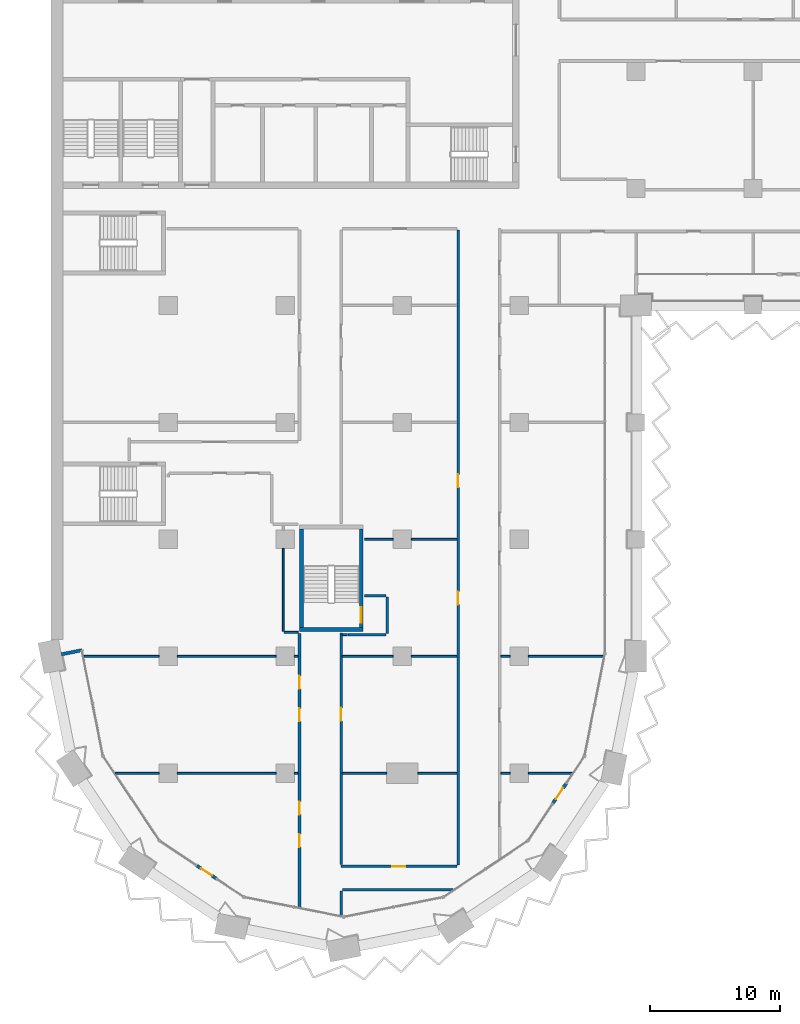
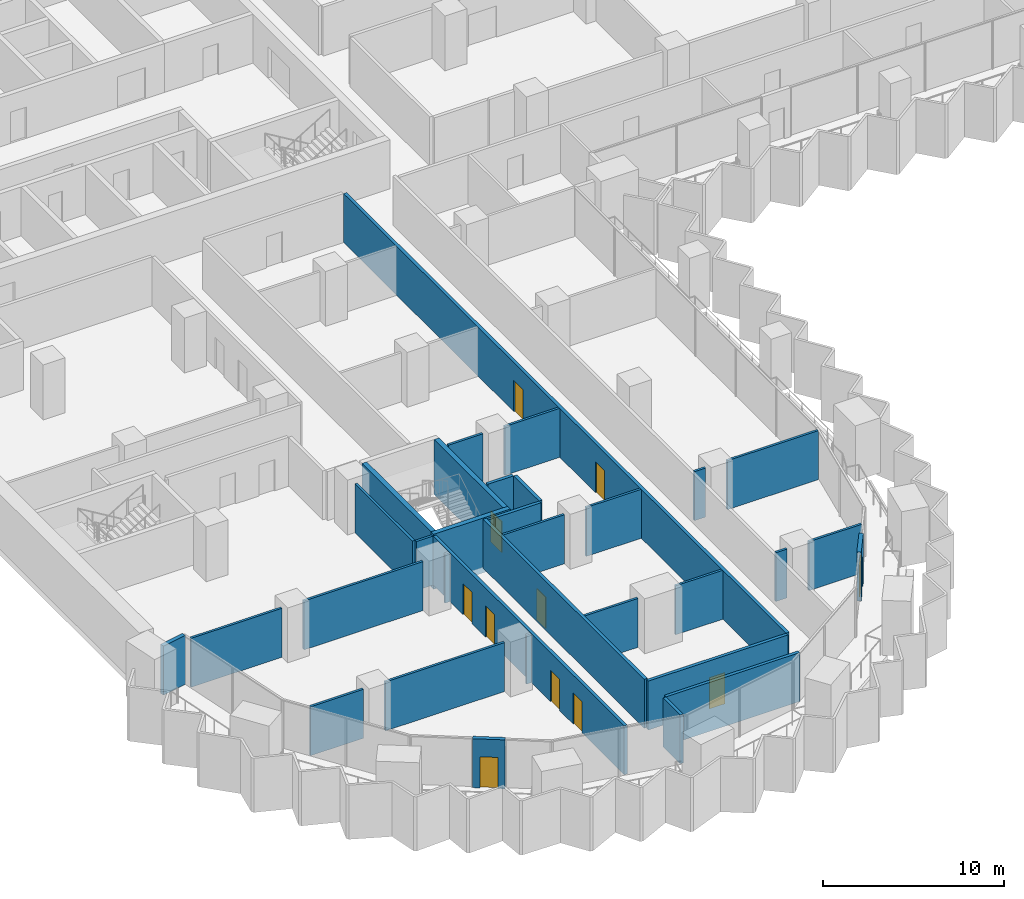
# One storey, part 10 of 29: 34 walls, 11 doors, 11 openings.
"""IFC4 building model written with IfcOpenShell, lengths in metres."""

from ifc_helpers import new_model, si_unit, direction, frame, frame_2d, origin, place, context, subcontext, project, spatial, rectangle, extrude, material, layer, layer_set, type_object, element, fill, save


model = new_model("IFC4")

# Units and contexts
model_context = context("Model", 3, precision=1e-05, world=origin(), true_north=direction((0.0, 1.0)))
body_context = subcontext(model_context, "Body", "Model", "MODEL_VIEW")
ifc_project = project(units=[si_unit("LENGTHUNIT", "METRE"), si_unit("AREAUNIT", "SQUARE_METRE"), si_unit("VOLUMEUNIT", "CUBIC_METRE"), si_unit("PLANEANGLEUNIT", "RADIAN"), si_unit("MASSUNIT", "GRAM", prefix="KILO")], contexts=[model_context])

# Site, building, storey
site_placement = place(None, origin())
site = spatial("IfcSite", under=ifc_project, at=site_placement, CompositionType="ELEMENT")
building_placement = place(site_placement, origin())
building = spatial("IfcBuilding", under=site, at=building_placement, Name="Hunhe Ridgeline Campus", CompositionType="ELEMENT")
storey_placement = place(building_placement, frame((0.0, 0.0, 50.60009765625)))
storey = spatial("IfcBuildingStorey", under=building, at=storey_placement, Name="L11", CompositionType="ELEMENT", Elevation=50.60009765625)

# Walls
ifc_material_1 = material(Name="Concrete C30", Category="concrete")
ifc_layer_1 = layer(ifc_material_1, 0.25)
ifc_layer_set_1 = layer_set([ifc_layer_1], Name="Corner return wall 250 Concrete C30")
wall_type_1 = type_object("IfcWallType", Name="Corner return wall 250 Concrete C30", PredefinedType="SOLIDWALL", material=ifc_layer_set_1)
wall_1_placement = place(storey_placement, frame((0.784423828125, 27.15673828125, 0.0), z_axis=(0.0, 0.0, 1.0), x_axis=(0.980826234823, 0.19488431718, 0.0)))
element("IfcWall", 1, at=wall_1_placement, inside=storey, type_object=wall_type_1, Name="Corner return wall 1", PredefinedType="SOLIDWALL", context=body_context, shape_type="SweptSolid", body=[
    extrude(rectangle(XDim=1.60107421875, YDim=0.25, at=frame_2d((0.800537109375, 0.0))), origin(), (0.0, 0.0, 1.0), 3.2998046875),
])
ifc_material_2 = material(Name="Gypsum board partition")
ifc_layer_2 = layer(ifc_material_2, 0.199951171875)
ifc_layer_set_2 = layer_set([ifc_layer_2], Name="Corridor partition 200 gypsum board on steel studs")
wall_type_2 = type_object("IfcWallType", Name="Corridor partition 200 gypsum board on steel studs", PredefinedType="PARTITIONING", material=ifc_layer_set_2)
wall_2_placement = place(storey_placement, frame((30.921142578125, 9.0390625, 0.0), z_axis=(0.0, 0.0, 1.0), x_axis=(-1.0, 0.0, 0.0)))
element("IfcWall", 2, at=wall_2_placement, inside=storey, type_object=wall_type_2, Name="F-L11-wall-001", PredefinedType="PARTITIONING", context=body_context, shape_type="SweptSolid", body=[
    extrude(rectangle(XDim=8.521240234375, YDim=0.199951171875, at=frame_2d((4.2607421875, 0.0))), origin(), (0.0, 0.0, 1.0), 3.2998046875),
])

# Wall, opening, door
wall_3_placement = place(storey_placement, frame((22.300048828125, 10.839111328125, 0.0), z_axis=(0.0, 0.0, 1.0), x_axis=(1.0, 0.0, 0.0)))
wall_3 = element("IfcWall", 3, at=wall_3_placement, inside=storey, type_object=wall_type_2, Name="F-L11-wall-002", PredefinedType="PARTITIONING", context=body_context, shape_type="SweptSolid", body=[
    extrude(rectangle(XDim=8.89990234375, YDim=0.199951171875, at=frame_2d((4.449951171875, 0.0))), origin(), (0.0, 0.0, 1.0), 3.2998046875),
])
opening_1_placement = place(wall_3_placement, frame((3.949951171875, 0.0, 0.0)))
opening_1 = element("IfcOpeningElement", 4, at=opening_1_placement, cuts=wall_3, Name="Opening RD1-001", PredefinedType="OPENING", context=body_context, shape_type="SweptSolid", body=[
    extrude(rectangle(XDim=1.0, YDim=2.10009765625, at=frame_2d((0.5, 1.050048828125))), frame((0.0, 0.10009765625, 0.0), z_axis=(0.0, -1.0, 0.0), x_axis=(1.0, 0.0, 0.0)), (0.0, 0.0, 1.0), 0.199951171875),
])
ifc_material_3 = material(Name="Timber door leaf", Category="wood")
door_type_1 = type_object("IfcDoorType", Name="Single fire door 1000x2100 timber FD60", OperationType="NOTDEFINED", PredefinedType="DOOR", material=ifc_material_3)
door_1_placement = place(opening_1_placement, origin())
door_1 = element("IfcDoor", 5, at=door_1_placement, inside=storey, type_object=door_type_1, Name="F-L11-door-001", OperationType="SINGLE_SWING_RIGHT", OverallHeight=2.10009765625, OverallWidth=1.0, PredefinedType="DOOR", context=body_context, shape_type="SweptSolid", body=[
    extrude(rectangle(XDim=1.0, YDim=2.10009765625, at=frame_2d((0.5, 1.050048828125))), frame((0.0, 0.02490234375, 0.0), z_axis=(0.0, -1.0, 0.0), x_axis=(1.0, 0.0, 0.0)), (0.0, 0.0, 1.0), 0.050048828125),
])
fill(opening_1, door_1)

# Walls
wall_4_placement = place(storey_placement, frame((25.75, 28.675048828125, 0.0), z_axis=(0.0, 0.0, 1.0), x_axis=(-1.0, 0.0, 0.0)))
element("IfcWall", 6, at=wall_4_placement, inside=storey, type_object=wall_type_2, Name="F-L11-wall-017", PredefinedType="PARTITIONING", context=body_context, shape_type="SweptSolid", body=[
    extrude(rectangle(XDim=2.89990234375, YDim=0.199951171875, at=frame_2d((1.449951171875, 0.0))), origin(), (0.0, 0.0, 1.0), 3.2998046875),
])
wall_5_placement = place(storey_placement, frame((24.10400390625, 31.675048828125, 0.0), z_axis=(0.0, 0.0, 1.0), x_axis=(1.0, 0.0, 0.0)))
element("IfcWall", 7, at=wall_5_placement, inside=storey, type_object=wall_type_2, Name="F-L11-wall-020", PredefinedType="PARTITIONING", context=body_context, shape_type="SweptSolid", body=[
    extrude(rectangle(XDim=1.64599609375, YDim=0.199951171875, at=frame_2d((0.822998046875, 0.0))), origin(), (0.0, 0.0, 1.0), 3.2998046875),
])

# Wall, openings, doors
wall_6_placement = place(storey_placement, frame((19.10009765625, 7.679443359375, 0.0), z_axis=(0.0, 0.0, 1.0), x_axis=(0.0, 1.0, 0.0)))
wall_6 = element("IfcWall", 8, at=wall_6_placement, inside=storey, type_object=wall_type_2, Name="F-L11-wall-060", PredefinedType="PARTITIONING", context=body_context, shape_type="SweptSolid", body=[
    extrude(rectangle(XDim=21.095458984375, YDim=0.199951171875, at=frame_2d((10.5478515625, 0.0))), origin(), (0.0, 0.0, 1.0), 3.2998046875),
])
opening_2_placement = place(wall_6_placement, frame((4.648193359375, 0.0, 0.0)))
opening_2 = element("IfcOpeningElement", 9, at=opening_2_placement, cuts=wall_6, Name="Opening RD1-002", PredefinedType="OPENING", context=body_context, shape_type="SweptSolid", body=[
    extrude(rectangle(XDim=1.0, YDim=2.10009765625, at=frame_2d((0.5, 1.050048828125))), frame((0.0, 0.10009765625, 0.0), z_axis=(0.0, -1.0, 0.0), x_axis=(1.0, 0.0, 0.0)), (0.0, 0.0, 1.0), 0.199951171875),
])
opening_3_placement = place(wall_6_placement, frame((7.148193359375, 0.0, 0.0)))
opening_3 = element("IfcOpeningElement", 10, at=opening_3_placement, cuts=wall_6, Name="Opening RD1-004", PredefinedType="OPENING", context=body_context, shape_type="SweptSolid", body=[
    extrude(rectangle(XDim=1.0, YDim=2.10009765625, at=frame_2d((0.5, 1.050048828125))), frame((0.0, 0.10009765625, 0.0), z_axis=(0.0, -1.0, 0.0), x_axis=(1.0, 0.0, 0.0)), (0.0, 0.0, 1.0), 0.199951171875),
])
opening_4_placement = place(wall_6_placement, frame((14.317138671875, 0.0, 0.0)))
opening_4 = element("IfcOpeningElement", 11, at=opening_4_placement, cuts=wall_6, Name="Opening RD1-005", PredefinedType="OPENING", context=body_context, shape_type="SweptSolid", body=[
    extrude(rectangle(XDim=1.0, YDim=2.10009765625, at=frame_2d((0.5, 1.050048828125))), frame((0.0, 0.10009765625, 0.0), z_axis=(0.0, -1.0, 0.0), x_axis=(1.0, 0.0, 0.0)), (0.0, 0.0, 1.0), 0.199951171875),
])
opening_5_placement = place(wall_6_placement, frame((16.817138671875, 0.0, 0.0)))
opening_5 = element("IfcOpeningElement", 12, at=opening_5_placement, cuts=wall_6, Name="Opening RD1-008", PredefinedType="OPENING", context=body_context, shape_type="SweptSolid", body=[
    extrude(rectangle(XDim=1.0, YDim=2.10009765625, at=frame_2d((0.5, 1.050048828125))), frame((0.0, 0.10009765625, 0.0), z_axis=(0.0, -1.0, 0.0), x_axis=(1.0, 0.0, 0.0)), (0.0, 0.0, 1.0), 0.199951171875),
])
door_2_placement = place(opening_2_placement, frame((1.0, 0.0, 0.0), z_axis=(0.0, 0.0, 1.0), x_axis=(-1.0, 0.0, 0.0)))
door_2 = element("IfcDoor", 13, at=door_2_placement, inside=storey, type_object=door_type_1, Name="F-L11-door-002", OperationType="SINGLE_SWING_LEFT", OverallHeight=2.10009765625, OverallWidth=1.0, PredefinedType="DOOR", context=body_context, shape_type="SweptSolid", body=[
    extrude(rectangle(XDim=1.0, YDim=2.10009765625, at=frame_2d((0.5, 1.050048828125))), frame((0.0, 0.02490234375, 0.0), z_axis=(0.0, -1.0, 0.0), x_axis=(1.0, 0.0, 0.0)), (0.0, 0.0, 1.0), 0.050048828125),
])
fill(opening_2, door_2)
door_3_placement = place(opening_3_placement, frame((1.0, 0.0, 0.0), z_axis=(0.0, 0.0, 1.0), x_axis=(-1.0, 0.0, 0.0)))
door_3 = element("IfcDoor", 14, at=door_3_placement, inside=storey, type_object=door_type_1, Name="F-L11-door-004", OperationType="SINGLE_SWING_LEFT", OverallHeight=2.10009765625, OverallWidth=1.0, PredefinedType="DOOR", context=body_context, shape_type="SweptSolid", body=[
    extrude(rectangle(XDim=1.0, YDim=2.10009765625, at=frame_2d((0.5, 1.050048828125))), frame((0.0, 0.02490234375, 0.0), z_axis=(0.0, -1.0, 0.0), x_axis=(1.0, 0.0, 0.0)), (0.0, 0.0, 1.0), 0.050048828125),
])
fill(opening_3, door_3)
door_4_placement = place(opening_4_placement, frame((1.0, 0.0, 0.0), z_axis=(0.0, 0.0, 1.0), x_axis=(-1.0, 0.0, 0.0)))
door_4 = element("IfcDoor", 15, at=door_4_placement, inside=storey, type_object=door_type_1, Name="F-L11-door-005", OperationType="SINGLE_SWING_LEFT", OverallHeight=2.10009765625, OverallWidth=1.0, PredefinedType="DOOR", context=body_context, shape_type="SweptSolid", body=[
    extrude(rectangle(XDim=1.0, YDim=2.10009765625, at=frame_2d((0.5, 1.050048828125))), frame((0.0, 0.02490234375, 0.0), z_axis=(0.0, -1.0, 0.0), x_axis=(1.0, 0.0, 0.0)), (0.0, 0.0, 1.0), 0.050048828125),
])
fill(opening_4, door_4)
door_5_placement = place(opening_5_placement, frame((1.0, 0.0, 0.0), z_axis=(0.0, 0.0, 1.0), x_axis=(-1.0, 0.0, 0.0)))
door_5 = element("IfcDoor", 16, at=door_5_placement, inside=storey, type_object=door_type_1, Name="F-L11-door-008", OperationType="SINGLE_SWING_LEFT", OverallHeight=2.10009765625, OverallWidth=1.0, PredefinedType="DOOR", context=body_context, shape_type="SweptSolid", body=[
    extrude(rectangle(XDim=1.0, YDim=2.10009765625, at=frame_2d((0.5, 1.050048828125))), frame((0.0, 0.02490234375, 0.0), z_axis=(0.0, -1.0, 0.0), x_axis=(1.0, 0.0, 0.0)), (0.0, 0.0, 1.0), 0.050048828125),
])
fill(opening_5, door_5)

# Wall
wall_7_placement = place(storey_placement, frame((22.300048828125, 8.93896484375, 0.0), z_axis=(0.0, 0.0, 1.0), x_axis=(0.0, -1.0, 0.0)))
element("IfcWall", 17, at=wall_7_placement, inside=storey, type_object=wall_type_2, Name="F-L11-wall-062", PredefinedType="PARTITIONING", context=body_context, shape_type="SweptSolid", body=[
    extrude(rectangle(XDim=1.89599609375, YDim=0.199951171875, at=frame_2d((0.947998046875, 0.0))), origin(), (0.0, 0.0, 1.0), 3.2998046875),
])

# Wall, opening, door
wall_8_placement = place(storey_placement, frame((22.300048828125, 28.7958984375, 0.0), z_axis=(0.0, 0.0, 1.0), x_axis=(0.0, -1.0, 0.0)))
wall_8 = element("IfcWall", 18, at=wall_8_placement, inside=storey, type_object=wall_type_2, Name="F-L11-wall-063", PredefinedType="PARTITIONING", context=body_context, shape_type="SweptSolid", body=[
    extrude(rectangle(XDim=17.7978515625, YDim=0.199951171875, at=frame_2d((8.89892578125, 0.0))), origin(), (0.0, 0.0, 1.0), 3.2998046875),
])
opening_6_placement = place(wall_8_placement, frame((5.766845703125, 0.0, 0.0)))
opening_6 = element("IfcOpeningElement", 19, at=opening_6_placement, cuts=wall_8, Name="Opening RD1-006", PredefinedType="OPENING", context=body_context, shape_type="SweptSolid", body=[
    extrude(rectangle(XDim=1.0, YDim=2.10009765625, at=frame_2d((0.5, 1.050048828125))), frame((0.0, 0.10009765625, 0.0), z_axis=(0.0, -1.0, 0.0), x_axis=(1.0, 0.0, 0.0)), (0.0, 0.0, 1.0), 0.199951171875),
])
door_6_placement = place(opening_6_placement, origin())
door_6 = element("IfcDoor", 20, at=door_6_placement, inside=storey, type_object=door_type_1, Name="F-L11-door-006", OperationType="SINGLE_SWING_LEFT", OverallHeight=2.10009765625, OverallWidth=1.0, PredefinedType="DOOR", context=body_context, shape_type="SweptSolid", body=[
    extrude(rectangle(XDim=1.0, YDim=2.10009765625, at=frame_2d((0.5, 1.050048828125))), frame((0.0, 0.02490234375, 0.0), z_axis=(0.0, -1.0, 0.0), x_axis=(1.0, 0.0, 0.0)), (0.0, 0.0, 1.0), 0.050048828125),
])
fill(opening_6, door_6)

# Wall
wall_9_placement = place(storey_placement, frame((25.85009765625, 31.574951171875, 0.0), z_axis=(0.0, 0.0, 1.0), x_axis=(0.0, -1.0, 0.0)))
element("IfcWall", 21, at=wall_9_placement, inside=storey, type_object=wall_type_2, Name="F-L11-wall-065", PredefinedType="PARTITIONING", context=body_context, shape_type="SweptSolid", body=[
    extrude(rectangle(XDim=2.800048828125, YDim=0.199951171875, at=frame_2d((1.39990234375, 0.0))), origin(), (0.0, 0.0, 1.0), 3.2998046875),
])

# Wall, openings, doors
wall_10_placement = place(storey_placement, frame((31.300048828125, 10.93896484375, 0.0), z_axis=(0.0, 0.0, 1.0), x_axis=(0.0, 1.0, 0.0)))
wall_10 = element("IfcWall", 22, at=wall_10_placement, inside=storey, type_object=wall_type_2, Name="F-L11-wall-066", PredefinedType="PARTITIONING", context=body_context, shape_type="SweptSolid", body=[
    extrude(rectangle(XDim=48.861083984375, YDim=0.199951171875, at=frame_2d((24.4306640625, 0.0))), origin(), (0.0, 0.0, 1.0), 3.2998046875),
])
opening_7_placement = place(wall_10_placement, frame((20.046630859375, 0.0, 0.0)))
opening_7 = element("IfcOpeningElement", 23, at=opening_7_placement, cuts=wall_10, Name="Opening RD1-009", PredefinedType="OPENING", context=body_context, shape_type="SweptSolid", body=[
    extrude(rectangle(XDim=1.0, YDim=2.10009765625, at=frame_2d((0.5, 1.050048828125))), frame((0.0, 0.10009765625, 0.0), z_axis=(0.0, -1.0, 0.0), x_axis=(1.0, 0.0, 0.0)), (0.0, 0.0, 1.0), 0.199951171875),
])
opening_8_placement = place(wall_10_placement, frame((29.067138671875, 0.0, 0.0)))
opening_8 = element("IfcOpeningElement", 24, at=opening_8_placement, cuts=wall_10, Name="Opening RD1-012", PredefinedType="OPENING", context=body_context, shape_type="SweptSolid", body=[
    extrude(rectangle(XDim=1.0, YDim=2.10009765625, at=frame_2d((0.5, 1.050048828125))), frame((0.0, 0.10009765625, 0.0), z_axis=(0.0, -1.0, 0.0), x_axis=(1.0, 0.0, 0.0)), (0.0, 0.0, 1.0), 0.199951171875),
])
door_7_placement = place(opening_7_placement, origin())
door_7 = element("IfcDoor", 25, at=door_7_placement, inside=storey, type_object=door_type_1, Name="F-L11-door-009", OperationType="SINGLE_SWING_RIGHT", OverallHeight=2.10009765625, OverallWidth=1.0, PredefinedType="DOOR", context=body_context, shape_type="SweptSolid", body=[
    extrude(rectangle(XDim=1.0, YDim=2.10009765625, at=frame_2d((0.5, 1.050048828125))), frame((0.0, 0.02490234375, 0.0), z_axis=(0.0, -1.0, 0.0), x_axis=(1.0, 0.0, 0.0)), (0.0, 0.0, 1.0), 0.050048828125),
])
fill(opening_7, door_7)
door_8_placement = place(opening_8_placement, origin())
door_8 = element("IfcDoor", 26, at=door_8_placement, inside=storey, type_object=door_type_1, Name="F-L11-door-012", OperationType="SINGLE_SWING_RIGHT", OverallHeight=2.10009765625, OverallWidth=1.0, PredefinedType="DOOR", context=body_context, shape_type="SweptSolid", body=[
    extrude(rectangle(XDim=1.0, YDim=2.10009765625, at=frame_2d((0.5, 1.050048828125))), frame((0.0, 0.02490234375, 0.0), z_axis=(0.0, -1.0, 0.0), x_axis=(1.0, 0.0, 0.0)), (0.0, 0.0, 1.0), 0.050048828125),
])
fill(opening_8, door_8)

# Wall, opening, door
ifc_layer_3 = layer(ifc_material_1, 0.25)
ifc_layer_set_3 = layer_set([ifc_layer_3], Name="Loggia door pier wall 250 Concrete C30")
wall_type_3 = type_object("IfcWallType", Name="Loggia door pier wall 250 Concrete C30", PredefinedType="SOLIDWALL", material=ifc_layer_set_3)
wall_11_placement = place(storey_placement, frame((11.19970703125, 10.897705078125, 0.0), z_axis=(0.0, 0.0, 1.0), x_axis=(0.83146554274, -0.555576323502, 0.0)))
wall_11 = element("IfcWall", 27, at=wall_11_placement, inside=storey, type_object=wall_type_3, Name="Loggia door pier 1", PredefinedType="SOLIDWALL", context=body_context, shape_type="SweptSolid", body=[
    extrude(rectangle(XDim=1.800048828125, YDim=0.25, at=frame_2d((0.89990234375, 0.0))), origin(), (0.0, 0.0, 1.0), 3.2998046875),
])
opening_9_placement = place(wall_11_placement, frame((0.39990234375, 0.0, 0.0)))
opening_9 = element("IfcOpeningElement", 28, at=opening_9_placement, cuts=wall_11, Name="Opening BD102", PredefinedType="OPENING", context=body_context, shape_type="SweptSolid", body=[
    extrude(rectangle(XDim=1.0, YDim=2.10009765625, at=frame_2d((0.5, 1.050048828125))), frame((0.0, 0.125, 0.0), z_axis=(0.0, -1.0, 0.0), x_axis=(1.0, 0.0, 0.0)), (0.0, 0.0, 1.0), 0.25),
])
ifc_material_4 = material(Name="Aluminium 6063", Category="aluminium")
door_type_2 = type_object("IfcDoorType", Name="Loggia glazed door 1000x2100", OperationType="NOTDEFINED", PredefinedType="DOOR", material=ifc_material_4)
door_9_placement = place(opening_9_placement, frame((1.0, 0.0, 0.0), z_axis=(0.0, 0.0, 1.0), x_axis=(-1.0, 0.0, 0.0)))
door_9 = element("IfcDoor", 29, at=door_9_placement, inside=storey, type_object=door_type_2, Name="Loggia door BD102", OperationType="SINGLE_SWING_LEFT", OverallHeight=2.10009765625, OverallWidth=1.0, PredefinedType="DOOR", context=body_context, shape_type="SweptSolid", body=[
    extrude(rectangle(XDim=1.0, YDim=2.10009765625, at=frame_2d((0.5, 1.050048828125))), frame((0.0, 0.02490234375, 0.0), z_axis=(0.0, -1.0, 0.0), x_axis=(1.0, 0.0, 0.0)), (0.0, 0.0, 1.0), 0.050048828125),
])
fill(opening_9, door_9)

wall_12_placement = place(storey_placement, frame((38.602294921875, 15.69970703125, 0.0), z_axis=(0.0, 0.0, 1.0), x_axis=(0.555576323502, 0.83146554274, 0.0)))
wall_12 = element("IfcWall", 30, at=wall_12_placement, inside=storey, type_object=wall_type_3, Name="Loggia door pier 2", PredefinedType="SOLIDWALL", context=body_context, shape_type="SweptSolid", body=[
    extrude(rectangle(XDim=1.800048828125, YDim=0.25, at=frame_2d((0.89990234375, 0.0))), origin(), (0.0, 0.0, 1.0), 3.2998046875),
])
opening_10_placement = place(wall_12_placement, frame((0.39990234375, 0.0, 0.0)))
opening_10 = element("IfcOpeningElement", 31, at=opening_10_placement, cuts=wall_12, Name="Opening BD104", PredefinedType="OPENING", context=body_context, shape_type="SweptSolid", body=[
    extrude(rectangle(XDim=1.0, YDim=2.10009765625, at=frame_2d((0.5, 1.050048828125))), frame((0.0, 0.125, 0.0), z_axis=(0.0, -1.0, 0.0), x_axis=(1.0, 0.0, 0.0)), (0.0, 0.0, 1.0), 0.25),
])
door_10_placement = place(opening_10_placement, frame((1.0, 0.0, 0.0), z_axis=(0.0, 0.0, 1.0), x_axis=(-1.0, 0.0, 0.0)))
door_10 = element("IfcDoor", 32, at=door_10_placement, inside=storey, type_object=door_type_2, Name="Loggia door BD104", OperationType="SINGLE_SWING_LEFT", OverallHeight=2.10009765625, OverallWidth=1.0, PredefinedType="DOOR", context=body_context, shape_type="SweptSolid", body=[
    extrude(rectangle(XDim=1.0, YDim=2.10009765625, at=frame_2d((0.5, 1.050048828125))), frame((0.0, 0.02490234375, 0.0), z_axis=(0.0, -1.0, 0.0), x_axis=(1.0, 0.0, 0.0)), (0.0, 0.0, 1.0), 0.050048828125),
])
fill(opening_10, door_10)

# Walls
ifc_layer_4 = layer(ifc_material_2, 0.14990234375)
ifc_layer_set_4 = layer_set([ifc_layer_4], Name="Room partition 150 gypsum board on steel studs")
wall_type_4 = type_object("IfcWallType", Name="Room partition 150 gypsum board on steel studs", PredefinedType="PARTITIONING", material=ifc_layer_set_4)
wall_13_placement = place(storey_placement, frame((4.925537109375, 18.0, 0.0), z_axis=(0.0, 0.0, 1.0), x_axis=(1.0, 0.0, 0.0)))
element("IfcWall", 33, at=wall_13_placement, inside=storey, type_object=wall_type_4, Name="F-L11-wall-003", PredefinedType="PARTITIONING", context=body_context, shape_type="SweptSolid", body=[
    extrude(rectangle(XDim=3.37451171875, YDim=0.14990234375, at=frame_2d((1.687255859375, 0.0))), origin(), (0.0, 0.0, 1.0), 3.2998046875),
])
wall_14_placement = place(storey_placement, frame((9.699951171875, 18.0, 0.0), z_axis=(0.0, 0.0, 1.0), x_axis=(1.0, 0.0, 0.0)))
element("IfcWall", 34, at=wall_14_placement, inside=storey, type_object=wall_type_4, Name="F-L11-wall-004", PredefinedType="PARTITIONING", context=body_context, shape_type="SweptSolid", body=[
    extrude(rectangle(XDim=7.60009765625, YDim=0.14990234375, at=frame_2d((3.800048828125, 0.0))), origin(), (0.0, 0.0, 1.0), 3.2998046875),
])
wall_15_placement = place(storey_placement, frame((18.699951171875, 18.0, 0.0), z_axis=(0.0, 0.0, 1.0), x_axis=(1.0, 0.0, 0.0)))
element("IfcWall", 35, at=wall_15_placement, inside=storey, type_object=wall_type_4, Name="F-L11-wall-005", PredefinedType="PARTITIONING", context=body_context, shape_type="SweptSolid", body=[
    extrude(rectangle(XDim=0.300048828125, YDim=0.14990234375, at=frame_2d((0.14990234375, 0.0))), origin(), (0.0, 0.0, 1.0), 3.2998046875),
])
wall_16_placement = place(storey_placement, frame((22.39990234375, 18.0, 0.0), z_axis=(0.0, 0.0, 1.0), x_axis=(1.0, 0.0, 0.0)))
element("IfcWall", 36, at=wall_16_placement, inside=storey, type_object=wall_type_4, Name="F-L11-wall-006", PredefinedType="PARTITIONING", context=body_context, shape_type="SweptSolid", body=[
    extrude(rectangle(XDim=3.400146484375, YDim=0.14990234375, at=frame_2d((1.7001953125, 0.0))), origin(), (0.0, 0.0, 1.0), 3.2998046875),
])
wall_17_placement = place(storey_placement, frame((28.199951171875, 18.0, 0.0), z_axis=(0.0, 0.0, 1.0), x_axis=(1.0, 0.0, 0.0)))
element("IfcWall", 37, at=wall_17_placement, inside=storey, type_object=wall_type_4, Name="F-L11-wall-007", PredefinedType="PARTITIONING", context=body_context, shape_type="SweptSolid", body=[
    extrude(rectangle(XDim=3.0, YDim=0.14990234375, at=frame_2d((1.5, 0.0))), origin(), (0.0, 0.0, 1.0), 3.2998046875),
])
wall_18_placement = place(storey_placement, frame((34.60009765625, 18.0, 0.0), z_axis=(0.0, 0.0, 1.0), x_axis=(1.0, 0.0, 0.0)))
element("IfcWall", 38, at=wall_18_placement, inside=storey, type_object=wall_type_4, Name="F-L11-wall-008", PredefinedType="PARTITIONING", context=body_context, shape_type="SweptSolid", body=[
    extrude(rectangle(XDim=0.699951171875, YDim=0.14990234375, at=frame_2d((0.35009765625, 0.0))), origin(), (0.0, 0.0, 1.0), 3.2998046875),
])
wall_19_placement = place(storey_placement, frame((36.699951171875, 18.0, 0.0), z_axis=(0.0, 0.0, 1.0), x_axis=(1.0, 0.0, 0.0)))
element("IfcWall", 39, at=wall_19_placement, inside=storey, type_object=wall_type_4, Name="F-L11-wall-009", PredefinedType="PARTITIONING", context=body_context, shape_type="SweptSolid", body=[
    extrude(rectangle(XDim=3.37451171875, YDim=0.14990234375, at=frame_2d((1.687255859375, 0.0))), origin(), (0.0, 0.0, 1.0), 3.2998046875),
])
wall_20_placement = place(storey_placement, frame((2.503173828125, 27.0, 0.0), z_axis=(0.0, 0.0, 1.0), x_axis=(1.0, 0.0, 0.0)))
element("IfcWall", 40, at=wall_20_placement, inside=storey, type_object=wall_type_4, Name="F-L11-wall-010", PredefinedType="PARTITIONING", context=body_context, shape_type="SweptSolid", body=[
    extrude(rectangle(XDim=5.796875, YDim=0.14990234375, at=frame_2d((2.8984375, 0.0))), origin(), (0.0, 0.0, 1.0), 3.2998046875),
])
wall_21_placement = place(storey_placement, frame((9.699951171875, 27.0, 0.0), z_axis=(0.0, 0.0, 1.0), x_axis=(1.0, 0.0, 0.0)))
element("IfcWall", 41, at=wall_21_placement, inside=storey, type_object=wall_type_4, Name="F-L11-wall-011", PredefinedType="PARTITIONING", context=body_context, shape_type="SweptSolid", body=[
    extrude(rectangle(XDim=7.60009765625, YDim=0.14990234375, at=frame_2d((3.800048828125, 0.0))), origin(), (0.0, 0.0, 1.0), 3.2998046875),
])
wall_22_placement = place(storey_placement, frame((18.699951171875, 27.0, 0.0), z_axis=(0.0, 0.0, 1.0), x_axis=(1.0, 0.0, 0.0)))
element("IfcWall", 42, at=wall_22_placement, inside=storey, type_object=wall_type_4, Name="F-L11-wall-012", PredefinedType="PARTITIONING", context=body_context, shape_type="SweptSolid", body=[
    extrude(rectangle(XDim=0.300048828125, YDim=0.14990234375, at=frame_2d((0.14990234375, 0.0))), origin(), (0.0, 0.0, 1.0), 3.2998046875),
])
wall_23_placement = place(storey_placement, frame((22.39990234375, 27.0, 0.0), z_axis=(0.0, 0.0, 1.0), x_axis=(1.0, 0.0, 0.0)))
element("IfcWall", 43, at=wall_23_placement, inside=storey, type_object=wall_type_4, Name="F-L11-wall-013", PredefinedType="PARTITIONING", context=body_context, shape_type="SweptSolid", body=[
    extrude(rectangle(XDim=3.900146484375, YDim=0.14990234375, at=frame_2d((1.9501953125, 0.0))), origin(), (0.0, 0.0, 1.0), 3.2998046875),
])
wall_24_placement = place(storey_placement, frame((27.699951171875, 27.0, 0.0), z_axis=(0.0, 0.0, 1.0), x_axis=(1.0, 0.0, 0.0)))
element("IfcWall", 44, at=wall_24_placement, inside=storey, type_object=wall_type_4, Name="F-L11-wall-014", PredefinedType="PARTITIONING", context=body_context, shape_type="SweptSolid", body=[
    extrude(rectangle(XDim=3.5, YDim=0.14990234375, at=frame_2d((1.75, 0.0))), origin(), (0.0, 0.0, 1.0), 3.2998046875),
])
wall_25_placement = place(storey_placement, frame((34.60009765625, 27.0, 0.0), z_axis=(0.0, 0.0, 1.0), x_axis=(1.0, 0.0, 0.0)))
element("IfcWall", 45, at=wall_25_placement, inside=storey, type_object=wall_type_4, Name="F-L11-wall-015", PredefinedType="PARTITIONING", context=body_context, shape_type="SweptSolid", body=[
    extrude(rectangle(XDim=0.699951171875, YDim=0.14990234375, at=frame_2d((0.35009765625, 0.0))), origin(), (0.0, 0.0, 1.0), 3.2998046875),
])
wall_26_placement = place(storey_placement, frame((36.699951171875, 27.0, 0.0), z_axis=(0.0, 0.0, 1.0), x_axis=(1.0, 0.0, 0.0)))
element("IfcWall", 46, at=wall_26_placement, inside=storey, type_object=wall_type_4, Name="F-L11-wall-016", PredefinedType="PARTITIONING", context=body_context, shape_type="SweptSolid", body=[
    extrude(rectangle(XDim=5.796875, YDim=0.14990234375, at=frame_2d((2.8984375, 0.0))), origin(), (0.0, 0.0, 1.0), 3.2998046875),
])
wall_27_placement = place(storey_placement, frame((22.39990234375, 28.675048828125, 0.0), z_axis=(0.0, 0.0, 1.0), x_axis=(1.0, 0.0, 0.0)))
element("IfcWall", 47, at=wall_27_placement, inside=storey, type_object=wall_type_4, Name="F-L11-wall-018", PredefinedType="PARTITIONING", context=body_context, shape_type="SweptSolid", body=[
    extrude(rectangle(XDim=0.379638671875, YDim=0.14990234375, at=frame_2d((0.18994140625, 0.0))), origin(), (0.0, 0.0, 1.0), 3.2998046875),
])
wall_28_placement = place(storey_placement, frame((17.925048828125, 28.85009765625, 0.0), z_axis=(0.0, 0.0, 1.0), x_axis=(1.0, 0.0, 0.0)))
element("IfcWall", 48, at=wall_28_placement, inside=storey, type_object=wall_type_4, Name="F-L11-wall-019", PredefinedType="PARTITIONING", context=body_context, shape_type="SweptSolid", body=[
    extrude(rectangle(XDim=1.071044921875, YDim=0.14990234375, at=frame_2d((0.53564453125, 0.0))), origin(), (0.0, 0.0, 1.0), 3.2998046875),
])
wall_29_placement = place(storey_placement, frame((24.10400390625, 36.0, 0.0), z_axis=(0.0, 0.0, 1.0), x_axis=(1.0, 0.0, 0.0)))
element("IfcWall", 49, at=wall_29_placement, inside=storey, type_object=wall_type_4, Name="F-L11-wall-021", PredefinedType="PARTITIONING", context=body_context, shape_type="SweptSolid", body=[
    extrude(rectangle(XDim=2.196044921875, YDim=0.14990234375, at=frame_2d((1.09814453125, 0.0))), origin(), (0.0, 0.0, 1.0), 3.2998046875),
])
wall_30_placement = place(storey_placement, frame((27.699951171875, 36.0, 0.0), z_axis=(0.0, 0.0, 1.0), x_axis=(1.0, 0.0, 0.0)))
element("IfcWall", 50, at=wall_30_placement, inside=storey, type_object=wall_type_4, Name="F-L11-wall-022", PredefinedType="PARTITIONING", context=body_context, shape_type="SweptSolid", body=[
    extrude(rectangle(XDim=3.5, YDim=0.14990234375, at=frame_2d((1.75, 0.0))), origin(), (0.0, 0.0, 1.0), 3.2998046875),
])
wall_31_placement = place(storey_placement, frame((17.85009765625, 35.300048828125, 0.0), z_axis=(0.0, 0.0, 1.0), x_axis=(0.0, -1.0, 0.0)))
element("IfcWall", 51, at=wall_31_placement, inside=storey, type_object=wall_type_4, Name="F-L11-wall-058", PredefinedType="PARTITIONING", context=body_context, shape_type="SweptSolid", body=[
    extrude(rectangle(XDim=6.375, YDim=0.14990234375, at=frame_2d((3.1875, 0.0))), origin(), (0.0, 0.0, 1.0), 3.2998046875),
])
ifc_material_5 = material(Name="Concrete C80", Category="concrete")
ifc_layer_5 = layer(ifc_material_5, 0.300048828125)
ifc_layer_set_5 = layer_set([ifc_layer_5], Name="Stair wall 300 reinforced concrete C80")
wall_type_5 = type_object("IfcWallType", Name="Stair wall 300 reinforced concrete C80", PredefinedType="SOLIDWALL", material=ifc_layer_set_5)
wall_32_placement = place(storey_placement, frame((19.10009765625, 29.050048828125, -0.400146484375), z_axis=(0.0, 0.0, 1.0), x_axis=(1.0, 0.0, 0.0)))
element("IfcWall", 52, at=wall_32_placement, inside=storey, type_object=wall_type_5, Name="L11 core wall 1", PredefinedType="SOLIDWALL", context=body_context, shape_type="SweptSolid", body=[
    extrude(rectangle(XDim=4.89990234375, YDim=0.300048828125, at=frame_2d((2.449951171875, 0.0))), origin(), (0.0, 0.0, 1.0), 3.699951171875),
])
wall_33_placement = place(storey_placement, frame((19.25, 29.199951171875, -0.400146484375), z_axis=(0.0, 0.0, 1.0), x_axis=(0.0, 1.0, 0.0)))
element("IfcWall", 53, at=wall_33_placement, inside=storey, type_object=wall_type_5, Name="L11 core wall 50", PredefinedType="SOLIDWALL", context=body_context, shape_type="SweptSolid", body=[
    extrude(rectangle(XDim=7.60009765625, YDim=0.300048828125, at=frame_2d((3.800048828125, 0.0))), origin(), (0.0, 0.0, 1.0), 3.699951171875),
])

# Wall, opening, door
wall_34_placement = place(storey_placement, frame((23.85009765625, 29.199951171875, -0.400146484375), z_axis=(0.0, 0.0, 1.0), x_axis=(0.0, 1.0, 0.0)))
wall_34 = element("IfcWall", 54, at=wall_34_placement, inside=storey, type_object=wall_type_5, Name="L11 core wall 55", PredefinedType="SOLIDWALL", context=body_context, shape_type="SweptSolid", body=[
    extrude(rectangle(XDim=7.60009765625, YDim=0.300048828125, at=frame_2d((3.800048828125, 0.0))), origin(), (0.0, 0.0, 1.0), 3.699951171875),
])
opening_11_placement = place(wall_34_placement, frame((0.375, 0.0, 0.39990234375)))
opening_11 = element("IfcOpeningElement", 55, at=opening_11_placement, cuts=wall_34, Name="Opening CD23", PredefinedType="OPENING", context=body_context, shape_type="SweptSolid", body=[
    extrude(rectangle(XDim=1.199951171875, YDim=2.10009765625, at=frame_2d((0.60009765625, 1.050048828125))), frame((0.0, 0.14990234375, 0.0), z_axis=(0.0, -1.0, 0.0), x_axis=(1.0, 0.0, 0.0)), (0.0, 0.0, 1.0), 0.300048828125),
])
ifc_material_6 = material(Name="Hollow metal fire door leaf")
door_type_3 = type_object("IfcDoorType", Name="Stair door 1200x2100 FD60", OperationType="SINGLE_SWING_LEFT", PredefinedType="DOOR", material=ifc_material_6)
door_11_placement = place(opening_11_placement, frame((1.199951171875, 0.0, 0.0), z_axis=(0.0, 0.0, 1.0), x_axis=(-1.0, 0.0, 0.0)))
door_11 = element("IfcDoor", 56, at=door_11_placement, inside=storey, type_object=door_type_3, Name="L11 door W3", OperationType="SINGLE_SWING_RIGHT", OverallHeight=2.10009765625, OverallWidth=1.199951171875, PredefinedType="DOOR", context=body_context, shape_type="SweptSolid", body=[
    extrude(rectangle(XDim=1.199951171875, YDim=2.10009765625, at=frame_2d((0.60009765625, 1.050048828125))), frame((0.0, 0.02490234375, 0.0), z_axis=(0.0, -1.0, 0.0), x_axis=(1.0, 0.0, 0.0)), (0.0, 0.0, 1.0), 0.050048828125),
])
fill(opening_11, door_11)

save(model, "model.ifc")
